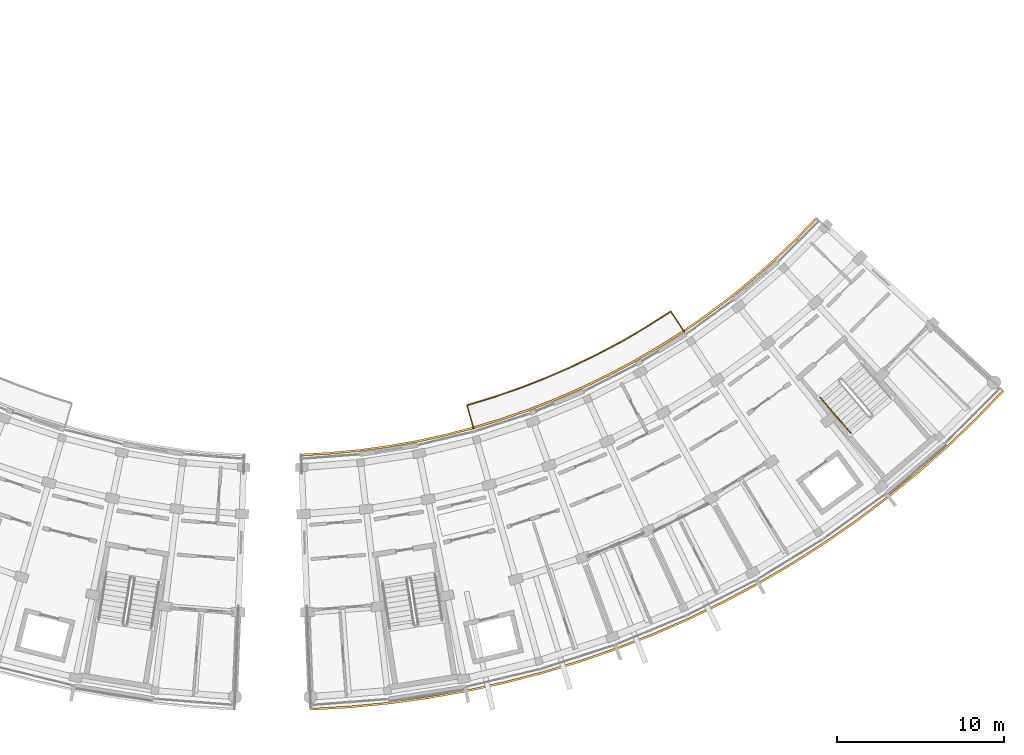
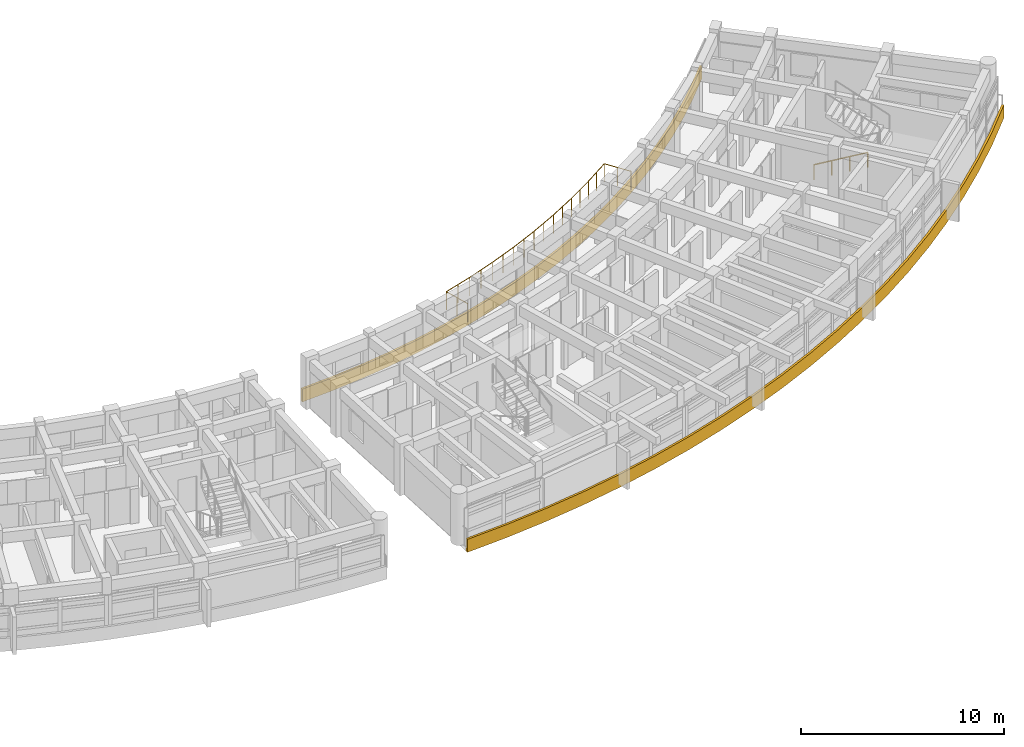
# One storey, part 55 of 56: 4 railings.
"""IFC4 building model written with IfcOpenShell, lengths in metres."""

from ifc_helpers import new_model, si_unit, direction, frame, origin, origin_2d, place, context, subcontext, project, spatial, polyline, circle, outline, extrude, material, type_object, element, save


model = new_model("IFC4")

# Units and contexts
model_context = context("Model", 3, precision=1e-05, world=origin(), true_north=direction((0.0, 1.0)))
body_context = subcontext(model_context, "Body", "Model", "MODEL_VIEW")
ifc_project = project(units=[si_unit("LENGTHUNIT", "METRE"), si_unit("AREAUNIT", "SQUARE_METRE"), si_unit("VOLUMEUNIT", "CUBIC_METRE"), si_unit("PLANEANGLEUNIT", "RADIAN"), si_unit("MASSUNIT", "GRAM", prefix="KILO")], contexts=[model_context])

# Site, building, storey
site_placement = place(None, origin())
site = spatial("IfcSite", under=ifc_project, at=site_placement, CompositionType="ELEMENT")
building_placement = place(site_placement, origin())
building = spatial("IfcBuilding", under=site, at=building_placement, Name="Zimvara Arc Housing Community", CompositionType="ELEMENT")
storey_placement = place(building_placement, frame((0.0, 0.0, 17.39990234375)))
storey = spatial("IfcBuildingStorey", under=building, at=storey_placement, Name="L05", CompositionType="ELEMENT", Elevation=17.39990234375)

# Railings
ifc_material_1 = material(Name="Anodised Aluminium AW-6063", Category="aluminium")
railing_type_1 = type_object("IfcRailingType", Name="RLG-BAL-1120", PredefinedType="BALUSTRADE", material=ifc_material_1)
railing_1_placement = place(storey_placement, frame((138.00830078125, 67.068359375, 0.0)))
element("IfcRailing", 1, at=railing_1_placement, inside=storey, type_object=railing_type_1, Name="rlg:blkD:L05:bal_in_guard", PredefinedType="BALUSTRADE", context=body_context, shape_type="SweptSolid", body=[
    extrude(circle(Radius=0.02392578125, at=origin_2d()), frame((0.0, 0.0, 1.09619140625), z_axis=(-0.270726337505, 0.962656351031, 0.0), x_axis=(-0.962656351031, -0.270726337505, 0.0)), (0.0, 0.0, 1.0), 1.469970703125),
    extrude(circle(Radius=0.02392578125, at=origin_2d()), frame((-0.39794921875, 1.4150390625, 1.09619140625), z_axis=(0.957190923554, 0.289457312684, 0.0), x_axis=(-0.289457312684, 0.957190923554, 0.0)), (0.0, 0.0, 1.0), 1.687744140625),
    extrude(circle(Radius=0.02392578125, at=origin_2d()), frame((1.217529296875, 1.903564453125, 1.09619140625), z_axis=(0.945049689723, 0.326926725666, 0.0), x_axis=(-0.326926725666, 0.945049689723, 0.0)), (0.0, 0.0, 1.0), 1.687744140625),
    extrude(circle(Radius=0.02392578125, at=origin_2d()), frame((2.8125, 2.455322265625, 1.09619140625), z_axis=(0.931585983459, 0.363521052241, 0.0), x_axis=(-0.363521052241, 0.931585983459, 0.0)), (0.0, 0.0, 1.0), 1.687744140625),
    extrude(circle(Radius=0.02392578125, at=origin_2d()), frame((4.384765625, 3.06884765625, 1.09619140625), z_axis=(0.916528773021, 0.39996875906, 0.0), x_axis=(-0.39996875906, 0.916528773021, 0.0)), (0.0, 0.0, 1.0), 1.687744140625),
    extrude(circle(Radius=0.02392578125, at=origin_2d()), frame((5.931640625, 3.743896484375, 1.09619140625), z_axis=(0.900082393733, 0.435719731585, 0.0), x_axis=(-0.435719731585, 0.900082393733, 0.0)), (0.0, 0.0, 1.0), 1.687744140625),
    extrude(circle(Radius=0.02392578125, at=origin_2d()), frame((7.45068359375, 4.479248046875, 1.09619140625), z_axis=(0.88237296132, 0.470550695602, 0.0), x_axis=(-0.470550695602, 0.88237296132, 0.0)), (0.0, 0.0, 1.0), 1.687744140625),
    extrude(circle(Radius=0.02392578125, at=origin_2d()), frame((8.93994140625, 5.2734375, 1.09619140625), z_axis=(0.863195929689, 0.504869079037, 0.0), x_axis=(-0.504869079037, 0.863195929689, 0.0)), (0.0, 0.0, 1.0), 1.687744140625),
    extrude(circle(Radius=0.02392578125, at=origin_2d()), frame((10.396728515625, 6.12548828125, 1.09619140625), z_axis=(0.842665264742, 0.538437788047, 0.0), x_axis=(-0.538437788047, 0.842665264742, 0.0)), (0.0, 0.0, 1.0), 1.687744140625),
    extrude(circle(Radius=0.02392578125, at=origin_2d()), frame((11.81884765625, 7.0341796875, 1.09619140625), z_axis=(0.554891818684, -0.831922514154, 0.0), x_axis=(0.831922514154, 0.554891818684, 0.0)), (0.0, 0.0, 1.0), 1.469970703125),
    extrude(circle(Radius=0.02099609375, at=origin_2d()), origin(), (0.0, 0.0, 1.0), 1.072021484375),
    extrude(circle(Radius=0.02099609375, at=origin_2d()), frame((-0.198974609375, 0.70751953125, 0.0)), (0.0, 0.0, 1.0), 1.072021484375),
    extrude(circle(Radius=0.02099609375, at=origin_2d()), frame((-0.39794921875, 1.4150390625, 0.0)), (0.0, 0.0, 1.0), 1.072021484375),
    extrude(circle(Radius=0.02099609375, at=origin_2d()), frame((0.40966796875, 1.6591796875, 0.0)), (0.0, 0.0, 1.0), 1.072021484375),
    extrude(circle(Radius=0.02099609375, at=origin_2d()), frame((1.217529296875, 1.903564453125, 0.0)), (0.0, 0.0, 1.0), 1.072021484375),
    extrude(circle(Radius=0.02099609375, at=origin_2d()), frame((2.01513671875, 2.179443359375, 0.0)), (0.0, 0.0, 1.0), 1.072021484375),
    extrude(circle(Radius=0.02099609375, at=origin_2d()), frame((2.8125, 2.455322265625, 0.0)), (0.0, 0.0, 1.0), 1.072021484375),
    extrude(circle(Radius=0.02099609375, at=origin_2d()), frame((3.5986328125, 2.76220703125, 0.0)), (0.0, 0.0, 1.0), 1.072021484375),
    extrude(circle(Radius=0.02099609375, at=origin_2d()), frame((4.384765625, 3.06884765625, 0.0)), (0.0, 0.0, 1.0), 1.072021484375),
    extrude(circle(Radius=0.02099609375, at=origin_2d()), frame((5.158203125, 3.40625, 0.0)), (0.0, 0.0, 1.0), 1.072021484375),
    extrude(circle(Radius=0.02099609375, at=origin_2d()), frame((5.931640625, 3.743896484375, 0.0)), (0.0, 0.0, 1.0), 1.072021484375),
    extrude(circle(Radius=0.02099609375, at=origin_2d()), frame((6.691162109375, 4.111572265625, 0.0)), (0.0, 0.0, 1.0), 1.072021484375),
    extrude(circle(Radius=0.02099609375, at=origin_2d()), frame((7.45068359375, 4.479248046875, 0.0)), (0.0, 0.0, 1.0), 1.072021484375),
    extrude(circle(Radius=0.02099609375, at=origin_2d()), frame((8.1953125, 4.87646484375, 0.0)), (0.0, 0.0, 1.0), 1.072021484375),
    extrude(circle(Radius=0.02099609375, at=origin_2d()), frame((8.93994140625, 5.2734375, 0.0)), (0.0, 0.0, 1.0), 1.072021484375),
    extrude(circle(Radius=0.02099609375, at=origin_2d()), frame((9.66845703125, 5.699462890625, 0.0)), (0.0, 0.0, 1.0), 1.072021484375),
    extrude(circle(Radius=0.02099609375, at=origin_2d()), frame((10.396728515625, 6.12548828125, 0.0)), (0.0, 0.0, 1.0), 1.072021484375),
    extrude(circle(Radius=0.02099609375, at=origin_2d()), frame((11.10791015625, 6.579833984375, 0.0)), (0.0, 0.0, 1.0), 1.072021484375),
    extrude(circle(Radius=0.02099609375, at=origin_2d()), frame((11.81884765625, 7.0341796875, 0.0)), (0.0, 0.0, 1.0), 1.072021484375),
    extrude(circle(Radius=0.02099609375, at=origin_2d()), frame((12.2265625, 6.4228515625, 0.0)), (0.0, 0.0, 1.0), 1.072021484375),
    extrude(circle(Radius=0.02099609375, at=origin_2d()), frame((12.634521484375, 5.811279296875, 0.0)), (0.0, 0.0, 1.0), 1.072021484375),
])
ifc_material_2 = material(Name="Pale-Gold Anodised Aluminium AW-6063", Category="aluminium")
railing_type_2 = type_object("IfcRailingType", Name="RLG-FAS-780", PredefinedType="BALUSTRADE", material=ifc_material_2)
railing_2_placement = place(storey_placement, frame((0.0, 0.0, -0.219970703125)))
element("IfcRailing", 2, at=railing_2_placement, inside=storey, type_object=railing_type_2, Name="rlg:blkD:L05:gold_out", PredefinedType="BALUSTRADE", context=body_context, shape_type="SweptSolid", body=[
    extrude(outline(polyline([(128.27099609375, 50.223876953125), (130.610595703125, 50.35986328125), (132.94287109375, 50.587646484375), (135.2646484375, 50.90673828125), (137.572021484375, 51.316650390625), (139.861328125, 51.81689453125), (142.12939453125, 52.406494140625), (144.37255859375, 53.0849609375), (146.58740234375, 53.850830078125), (148.7705078125, 54.702880859375), (150.918212890625, 55.64013671875), (153.02783203125, 56.6611328125), (155.095458984375, 57.763916015625), (157.118408203125, 58.947265625), (159.093017578125, 60.208984375), (161.016845703125, 61.54736328125), (162.88671875, 62.9599609375), (164.699462890625, 64.445068359375), (166.45263671875, 66.000244140625), (168.143310546875, 67.623046875), (169.76904296875, 69.31103515625), (169.680908203125, 69.392578125), (168.05859375, 67.7080078125), (166.37109375, 66.08837890625), (164.62158203125, 64.536376953125), (162.8125, 63.054443359375), (160.946533203125, 61.64453125), (159.026611328125, 60.308837890625), (157.0556640625, 59.049560546875), (155.036865234375, 57.86865234375), (152.973388671875, 56.76806640625), (150.8681640625, 55.749267578125), (148.724609375, 54.81396484375), (146.5458984375, 53.96337890625), (144.335693359375, 53.198974609375), (142.096923828125, 52.52197265625), (139.83349609375, 51.93359375), (137.548583984375, 51.434326171875), (135.245849609375, 51.025146484375), (132.928955078125, 50.706787109375), (130.601318359375, 50.4794921875), (128.266357421875, 50.343994140625), (128.27099609375, 50.223876953125)])), origin(), (0.0, 0.0, 1.0), 0.780029296875),
])
railing_3_placement = place(storey_placement, frame((0.0, 0.0, -0.219970703125)))
element("IfcRailing", 3, at=railing_3_placement, inside=storey, type_object=railing_type_2, Name="rlg:blkD:L05:gold_in", PredefinedType="BALUSTRADE", context=body_context, shape_type="SweptSolid", body=[
    extrude(outline(polyline([(127.68603515625, 65.45263671875), (129.427978515625, 65.553955078125), (131.164794921875, 65.723388671875), (132.8935546875, 65.961181640625), (134.61181640625, 66.266357421875), (136.316650390625, 66.638916015625), (138.00537109375, 67.077880859375), (139.67578125, 67.5830078125), (141.324951171875, 68.1533203125), (142.95068359375, 68.7880859375), (144.550048828125, 69.48583984375), (146.120849609375, 70.24609375), (147.660400390625, 71.0673828125), (149.166748046875, 71.948486328125), (150.63720703125, 72.887939453125), (152.06982421875, 73.884521484375), (153.462158203125, 74.9365234375), (154.81201171875, 76.04248046875), (156.117431640625, 77.200439453125), (157.37646484375, 78.40869140625), (158.5869140625, 79.66552734375), (158.4990234375, 79.7470703125), (157.29150390625, 78.49365234375), (156.0361328125, 77.28857421875), (154.734130859375, 76.1337890625), (153.387939453125, 75.03076171875), (151.999267578125, 73.981689453125), (150.57080078125, 72.98779296875), (149.104248046875, 72.05078125), (147.60205078125, 71.172119140625), (146.06640625, 70.35302734375), (144.499755859375, 69.594970703125), (142.90478515625, 68.89892578125), (141.28369140625, 68.265869140625), (139.638916015625, 67.697265625), (137.972900390625, 67.193603515625), (136.28857421875, 66.755615234375), (134.58837890625, 66.384033203125), (132.875, 66.07958984375), (131.15087890625, 65.8427734375), (129.418701171875, 65.673583984375), (127.681396484375, 65.57275390625), (127.68603515625, 65.45263671875)])), origin(), (0.0, 0.0, 1.0), 0.780029296875),
])
ifc_material_3 = material(Name="Anodised Aluminium AW-6063", Category="aluminium")
railing_type_3 = type_object("IfcRailingType", Name="RLG-HND-900", PredefinedType="HANDRAIL", material=ifc_material_3)
railing_4_placement = place(storey_placement, frame((158.766357421875, 68.953369140625, 0.155029296875)))
element("IfcRailing", 4, at=railing_4_placement, inside=storey, type_object=railing_type_3, Name="L05 ST-D2 stair handrail 1", PredefinedType="HANDRAIL", context=body_context, shape_type="SweptSolid", body=[
    extrude(circle(Radius=0.02392578125, at=origin_2d()), frame((0.0, 0.0, 0.8759765625), z_axis=(0.581041388364, -0.681489443978, 0.444930379672), x_axis=(0.760960200111, 0.648798561841, 0.0)), (0.0, 0.0, 1.0), 3.13525390625),
    extrude(circle(Radius=0.02099609375, at=origin_2d()), origin(), (0.0, 0.0, 1.0), 0.851806640625),
    extrude(circle(Radius=0.02099609375, at=origin_2d()), frame((0.607177734375, -0.712158203125, 0.465087890625)), (0.0, 0.0, 1.0), 0.851806640625),
    extrude(circle(Radius=0.02099609375, at=origin_2d()), frame((1.214599609375, -1.424560546875, 0.929931640625)), (0.0, 0.0, 1.0), 0.851806640625),
    extrude(circle(Radius=0.02099609375, at=origin_2d()), frame((1.82177734375, -2.13671875, 1.39501953125)), (0.0, 0.0, 1.0), 0.851806640625),
])

save(model, "model.ifc")
